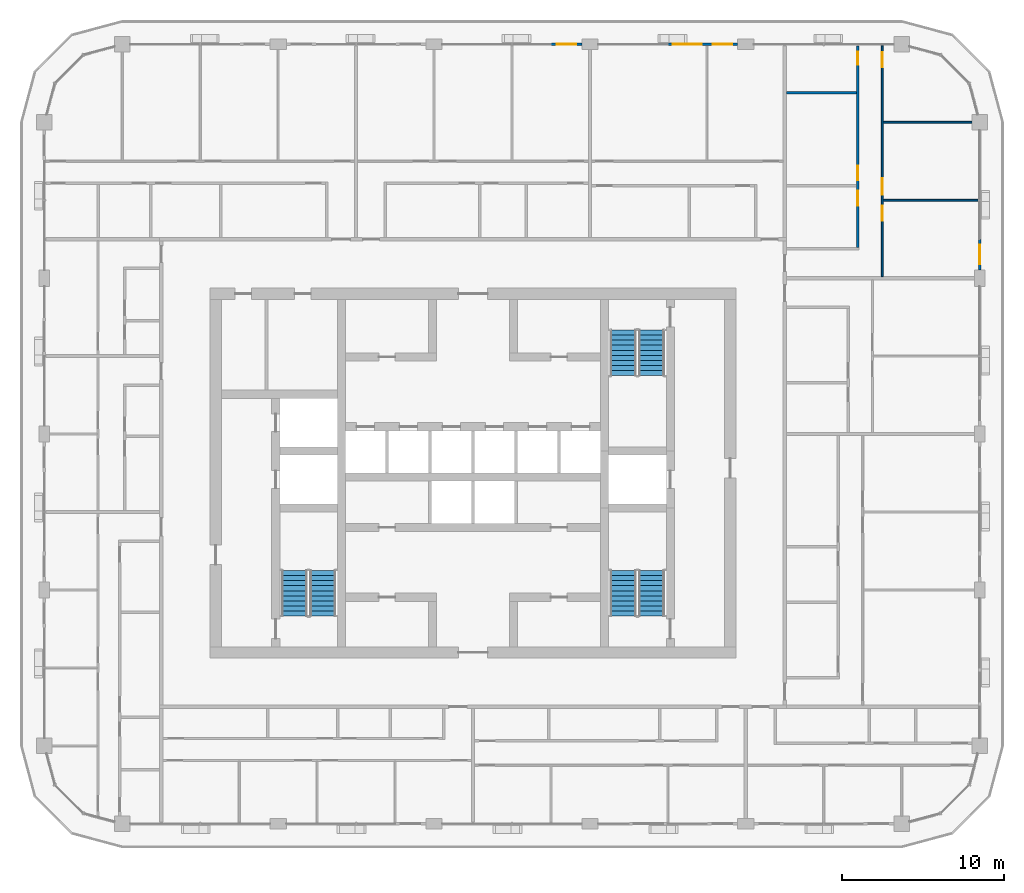
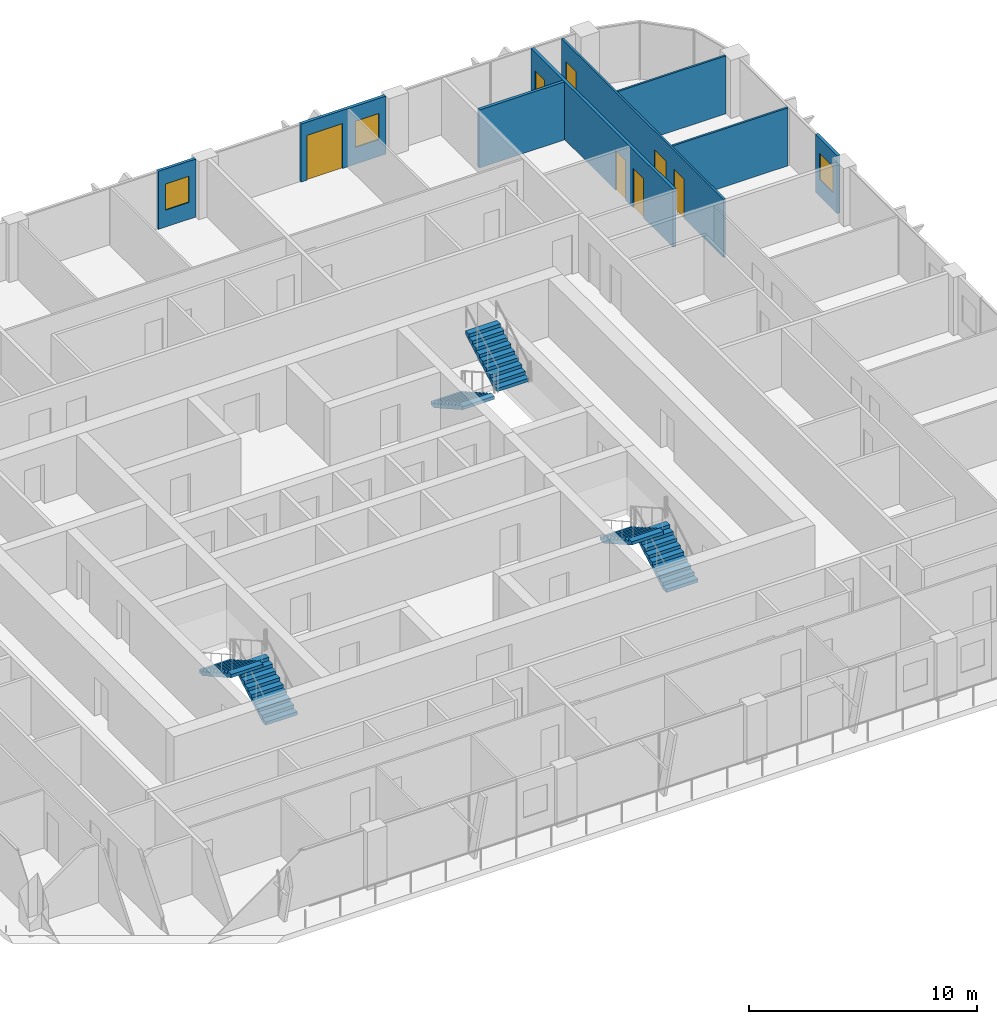
# One storey, part 15 of 22: 8 walls, 7 doors, 6 stair flights, 3 windows, 10 openings, 3 elements without a shape of their own.
"""IFC4 building model written with IfcOpenShell, lengths in metres."""

import ifcopenshell
import ifcopenshell.guid

model = None  # the IFC model being written
_history = None  # IfcOwnerHistory: only IFC2X3 demands one
_inside = {}  # id of a spatial element -> (the spatial element, [elements in it])
_under = {}  # id of a project, library or spatial element -> (it, [spatial elements below it])
_declared = {}  # id of a project -> (the project, [libraries it declares])
_typed = {}  # id of a type object -> (the type object, [elements of that type])
_made_of = {}  # id of a material, layer set ... -> (it, [elements and type objects made of it])


def new_model(schema):
    """Start an empty IFC model of exactly this schema.

    Asked for "IFC4X3", IfcOpenShell would pick the latest addendum, in which some entities
    have other attributes; the version numbers below select the first issue.
    IFC2X3 requires an IfcOwnerHistory on every rooted entity: one is made here for all.
    """
    global model, _history
    if schema == "IFC4X3":
        model = ifcopenshell.file(schema_version=(4, 3, 0, 0))
    else:
        model = ifcopenshell.file(schema=schema)
    _inside.clear()
    _under.clear()
    _declared.clear()
    _typed.clear()
    _made_of.clear()
    _history = None
    if model.schema == "IFC2X3":
        org = make("IfcOrganization", Name="unknown")
        user = make(
            "IfcPersonAndOrganization",
            ThePerson=make("IfcPerson", FamilyName="unknown"),
            TheOrganization=org,
        )
        app = make(
            "IfcApplication",
            ApplicationDeveloper=org,
            Version="unknown",
            ApplicationFullName="unknown",
            ApplicationIdentifier="unknown",
        )
        _history = make(
            "IfcOwnerHistory",
            OwningUser=user,
            OwningApplication=app,
            ChangeAction="ADDED",
            CreationDate=0,
        )
    return model


def make(cls, **values):
    """One entity of the class cls with the attributes given. An attribute that is None is left unset."""
    return model.create_entity(
        cls, **{name: value for name, value in values.items() if value is not None}
    )


def rooted(cls, **values):
    """An entity with a GlobalId (a new one), such as an element, a storey or a relation."""
    return make(cls, GlobalId=ifcopenshell.guid.new(), OwnerHistory=_history, **values)


def si_unit(unit_type, name, prefix=None):
    """IfcSIUnit, for example si_unit("LENGTHUNIT", "METRE", prefix="MILLI")."""
    return make("IfcSIUnit", UnitType=unit_type, Prefix=prefix, Name=name)


def assignment(units):
    """IfcUnitAssignment: the units of a project."""
    return None if units is None else make("IfcUnitAssignment", Units=units)


def point(xyz):
    """IfcCartesianPoint."""
    return None if xyz is None else make("IfcCartesianPoint", Coordinates=xyz)


def direction(xyz):
    """IfcDirection."""
    return None if xyz is None else make("IfcDirection", DirectionRatios=xyz)


def frame(location, z_axis=None, x_axis=None):
    """IfcAxis2Placement3D, a coordinate frame: its origin and axes. An axis left out is left unset."""
    return make(
        "IfcAxis2Placement3D",
        Location=point(location),
        Axis=direction(z_axis),
        RefDirection=direction(x_axis),
    )


def frame_2d(location, x_axis=None):
    """IfcAxis2Placement2D, a coordinate frame in the plane: its origin and x axis."""
    return make(
        "IfcAxis2Placement2D", Location=point(location), RefDirection=direction(x_axis)
    )


def origin():
    """The frame at (0, 0, 0) with its axes left unset."""
    return frame((0.0, 0.0, 0.0))


def place(relative_to, where):
    """IfcLocalPlacement: puts the frame where relative to a parent placement (None: the world)."""
    return make(
        "IfcLocalPlacement", PlacementRelTo=relative_to, RelativePlacement=where
    )


def context(
    kind, dimensions, precision=None, world=None, true_north=None, identifier=None
):
    """IfcGeometricRepresentationContext, for example the 3D "Model" context."""
    return make(
        "IfcGeometricRepresentationContext",
        ContextIdentifier=identifier,
        ContextType=kind,
        CoordinateSpaceDimension=dimensions,
        Precision=precision,
        WorldCoordinateSystem=world,
        TrueNorth=true_north,
    )


def subcontext(parent, identifier, kind, view, scale=None):
    """IfcGeometricRepresentationSubContext, for example "Body" below "Model"."""
    return make(
        "IfcGeometricRepresentationSubContext",
        ContextIdentifier=identifier,
        ContextType=kind,
        ParentContext=parent,
        TargetScale=scale,
        TargetView=view,
    )


def project(units=None, contexts=None):
    """IfcProject with its units and contexts."""
    return rooted(
        "IfcProject",
        Name="project",
        RepresentationContexts=contexts,
        UnitsInContext=assignment(units),
    )


def spatial(cls, under=None, at=None, **own):
    """A site, building, storey or space (cls), placed at a placement, below another one or the project."""
    s = rooted(cls, ObjectPlacement=at, **own)
    if under is not None:
        _under.setdefault(under.id(), (under, []))[1].append(s)
    return s


def polyline(points):
    """IfcPolyline through the points."""
    return make("IfcPolyline", Points=[point(p) for p in points])


def profile(cls, at=None, kind="AREA", **sizes):
    """A parametric profile (cls). Its sizes go by their IFC names, for example OverallWidth=200.0."""
    return make(cls, ProfileType=kind, Position=at, **sizes)


def rectangle(**sizes):
    """IfcRectangleProfileDef."""
    return profile("IfcRectangleProfileDef", **sizes)


def outline(outer, holes=None, kind="AREA"):
    """IfcArbitraryClosedProfileDef: a profile drawn as a closed curve; with holes, ...WithVoids."""
    if holes is None:
        return make("IfcArbitraryClosedProfileDef", ProfileType=kind, OuterCurve=outer)
    return make(
        "IfcArbitraryProfileDefWithVoids",
        ProfileType=kind,
        OuterCurve=outer,
        InnerCurves=holes,
    )


def extrude(swept, where, along, depth):
    """IfcExtrudedAreaSolid: the profile swept, set in the frame where, extruded along a direction by depth."""
    return make(
        "IfcExtrudedAreaSolid",
        SweptArea=swept,
        Position=where,
        ExtrudedDirection=direction(along),
        Depth=depth,
    )


def shape(context_of_items, identifier, shape_type, items):
    """IfcShapeRepresentation: the items that make up one representation, for example the "Body"."""
    return make(
        "IfcShapeRepresentation",
        ContextOfItems=context_of_items,
        RepresentationIdentifier=identifier,
        RepresentationType=shape_type,
        Items=items,
    )


def material(Name=None, Category=None):
    """IfcMaterial."""
    return make("IfcMaterial", Name=Name, Category=Category)


def layer(
    of_material, thickness, ventilated=None, Name=None, Category=None, Priority=None
):
    """IfcMaterialLayer: one layer of a wall or slab, of a material (None: an air gap)."""
    return make(
        "IfcMaterialLayer",
        Material=of_material,
        LayerThickness=thickness,
        IsVentilated=ventilated,
        Name=Name,
        Category=Category,
        Priority=Priority,
    )


def layer_set(layers, Name=None):
    """IfcMaterialLayerSet."""
    return make("IfcMaterialLayerSet", MaterialLayers=layers, LayerSetName=Name)


def made_of(thing, what):
    """Note that an element or type object is made of a material, layer set ...; save() writes the relation."""
    if what is not None:
        _made_of.setdefault(what.id(), (what, []))[1].append(thing)
    return thing


def type_object(cls, material=None, **own):
    """A type object (cls), such as IfcWallType, which elements share."""
    return made_of(rooted(cls, **own), material)


def element(
    cls,
    number,
    at=None,
    inside=None,
    cuts=None,
    type_object=None,
    material=None,
    context=None,
    identifier="Body",
    shape_type=None,
    held_by="IfcProductDefinitionShape",
    body=None,
    shapes=None,
    **own,
):
    """One element of the class cls, such as IfcWall. Its Tag is "e" and its number.

    at: its placement. inside: the storey or other place that contains it. cuts: it is an
    opening in that element (IfcRelVoidsElement). A single representation is given by context,
    identifier, shape_type and body (its items); several are given by shapes. held_by: the class
    of the entity that holds the representations. save() writes the other relations.
    """
    e = rooted(cls, Tag="e%d" % number, ObjectPlacement=at, **own)
    if body is not None:
        shapes = [shape(context, identifier, shape_type, body)]
    if shapes is not None:
        e.Representation = make(held_by, Representations=shapes)
    if inside is not None:
        _inside.setdefault(inside.id(), (inside, []))[1].append(e)
    if cuts is not None:
        rooted(
            "IfcRelVoidsElement", RelatingBuildingElement=cuts, RelatedOpeningElement=e
        )
    if type_object is not None:
        _typed.setdefault(type_object.id(), (type_object, []))[1].append(e)
    return made_of(e, material)


def fill(opening, filler):
    """IfcRelFillsElement: the door or window that sits in an opening."""
    return rooted(
        "IfcRelFillsElement",
        RelatingOpeningElement=opening,
        RelatedBuildingElement=filler,
    )


def aggregate(whole, parts):
    """IfcRelAggregates: a whole, such as a stair, and the parts it consists of."""
    return rooted("IfcRelAggregates", RelatingObject=whole, RelatedObjects=parts)


def save(model, path):
    """Write the relations noted so far, then the file.

    IfcRelAggregates (storeys below a building ...), IfcRelContainedInSpatialStructure (elements
    in a storey), IfcRelDefinesByType, IfcRelAssociatesMaterial and IfcRelDeclares: one each for
    every whole, place, type object, material and project.
    """
    for whole, parts in _under.values():
        aggregate(whole, parts)
    for where, things in _inside.values():
        rooted(
            "IfcRelContainedInSpatialStructure",
            RelatedElements=things,
            RelatingStructure=where,
        )
    for kind, things in _typed.values():
        rooted("IfcRelDefinesByType", RelatedObjects=things, RelatingType=kind)
    for what, things in _made_of.values():
        rooted("IfcRelAssociatesMaterial", RelatedObjects=things, RelatingMaterial=what)
    for by, libraries in _declared.values():
        rooted("IfcRelDeclares", RelatingContext=by, RelatedDefinitions=libraries)
    model.write(path)


model = new_model("IFC4")

# Units and contexts
model_context = context("Model", 3, precision=1e-05, world=origin(), true_north=direction((0.0, 1.0)))
body_context = subcontext(model_context, "Body", "Model", "MODEL_VIEW")
ifc_project = project(units=[si_unit("LENGTHUNIT", "METRE"), si_unit("AREAUNIT", "SQUARE_METRE"), si_unit("VOLUMEUNIT", "CUBIC_METRE"), si_unit("PLANEANGLEUNIT", "RADIAN"), si_unit("MASSUNIT", "GRAM", prefix="KILO")], contexts=[model_context])

# Site, building, storey
site_placement = place(None, origin())
site = spatial("IfcSite", under=ifc_project, at=site_placement, CompositionType="ELEMENT")
building_placement = place(site_placement, origin())
building = spatial("IfcBuilding", under=site, at=building_placement, Name="Madar Terraces", CompositionType="ELEMENT")
storey_placement = place(building_placement, frame((0.0, 0.0, 229.800048828125)))
storey = spatial("IfcBuildingStorey", under=building, at=storey_placement, Name="L60", CompositionType="ELEMENT", Elevation=229.800048828125)

# Wall, opening, window
ifc_material_1 = material(Name="Aluminium composite panel, black, over insulated backing", Category="aluminium")
ifc_layer_1 = layer(ifc_material_1, 0.14990234375)
ifc_layer_set_1 = layer_set([ifc_layer_1], Name="Facade bay panel 150")
wall_type_1 = type_object("IfcWallType", Name="Facade bay panel 150", PredefinedType="SOLIDWALL", material=ifc_layer_set_1)
wall_1_placement = place(storey_placement, frame((62.39990234375, 38.89990234375, 0.0), z_axis=(0.0, 0.0, 1.0), x_axis=(0.0, 1.0, 0.0)))
wall_1 = element("IfcWall", 1, at=wall_1_placement, inside=storey, type_object=wall_type_1, Name="Facade bay panel", PredefinedType="SOLIDWALL", context=body_context, shape_type="SweptSolid", body=[
    extrude(rectangle(XDim=1.900146484375, YDim=0.14990234375, at=frame_2d((0.9501953125, 0.0))), origin(), (0.0, 0.0, 1.0), 3.099853515625),
])
opening_1_placement = place(wall_1_placement, frame((0.35009765625, 0.0, 0.89990234375)))
opening_1 = element("IfcOpeningElement", 2, at=opening_1_placement, cuts=wall_1, Name="Opening W1", PredefinedType="OPENING", context=body_context, shape_type="SweptSolid", body=[
    extrude(rectangle(XDim=1.199951171875, YDim=1.39990234375, at=frame_2d((0.60009765625, 0.699951171875))), frame((0.0, 0.0849609375, 0.0), z_axis=(0.0, -1.0, 0.0), x_axis=(1.0, 0.0, 0.0)), (0.0, 0.0, 1.0), 0.169921875),
])
ifc_material_2 = material(Name="Glass, clear, with black aluminium frame", Category="aluminium")
window_type = type_object("IfcWindowType", Name="Vent window 1200 x 1400", PartitioningType="SINGLE_PANEL", PredefinedType="WINDOW", material=ifc_material_2)
window_1_placement = place(opening_1_placement, origin())
window_1 = element("IfcWindow", 3, at=window_1_placement, inside=storey, type_object=window_type, Name="Operable vent window", OverallHeight=1.39990234375, OverallWidth=1.199951171875, PartitioningType="SINGLE_PANEL", PredefinedType="WINDOW", context=body_context, shape_type="SweptSolid", body=[
    extrude(rectangle(XDim=1.199951171875, YDim=1.39990234375, at=frame_2d((0.60009765625, 0.699951171875))), frame((0.0, 0.030029296875, 0.0), z_axis=(0.0, -1.0, 0.0), x_axis=(1.0, 0.0, 0.0)), (0.0, 0.0, 1.0), 0.06005859375),
])
fill(opening_1, window_1)

# Wall, openings, door, window
wall_2_placement = place(storey_placement, frame((47.5, 52.800048828125, 0.0), z_axis=(0.0, 0.0, 1.0), x_axis=(-1.0, 0.0, 0.0)))
wall_2 = element("IfcWall", 4, at=wall_2_placement, inside=storey, type_object=wall_type_1, Name="Facade bay panel", PredefinedType="SOLIDWALL", context=body_context, shape_type="SweptSolid", body=[
    extrude(rectangle(XDim=4.300048828125, YDim=0.14990234375, at=frame_2d((2.14990234375, 0.0))), origin(), (0.0, 0.0, 1.0), 3.099853515625),
])
opening_2_placement = place(wall_2_placement, frame((0.35009765625, 0.0, 0.89990234375)))
opening_2 = element("IfcOpeningElement", 5, at=opening_2_placement, cuts=wall_2, Name="Opening W1", PredefinedType="OPENING", context=body_context, shape_type="SweptSolid", body=[
    extrude(rectangle(XDim=1.199951171875, YDim=1.39990234375, at=frame_2d((0.60009765625, 0.699951171875))), frame((0.0, 0.0849609375, 0.0), z_axis=(0.0, -1.0, 0.0), x_axis=(1.0, 0.0, 0.0)), (0.0, 0.0, 1.0), 0.169921875),
])
opening_3_placement = place(wall_2_placement, frame((2.199951171875, 0.0, 0.0)))
opening_3 = element("IfcOpeningElement", 6, at=opening_3_placement, cuts=wall_2, Name="Opening ED1", PredefinedType="OPENING", context=body_context, shape_type="SweptSolid", body=[
    extrude(rectangle(XDim=1.800048828125, YDim=2.39990234375, at=frame_2d((0.89990234375, 1.199951171875))), frame((0.0, 0.0849609375, 0.0), z_axis=(0.0, -1.0, 0.0), x_axis=(1.0, 0.0, 0.0)), (0.0, 0.0, 1.0), 0.169921875),
])
ifc_material_3 = material(Name="Glass, clear, with black aluminium frame", Category="aluminium")
door_type_1 = type_object("IfcDoorType", Name="Balcony and terrace sliding door 1800 x 2400", OperationType="SLIDING_TO_LEFT", PredefinedType="DOOR", material=ifc_material_3)
door_1_placement = place(opening_3_placement, origin())
door_1 = element("IfcDoor", 7, at=door_1_placement, inside=storey, type_object=door_type_1, Name="Balcony door", OperationType="SLIDING_TO_LEFT", OverallHeight=2.39990234375, OverallWidth=1.800048828125, PredefinedType="DOOR", context=body_context, shape_type="SweptSolid", body=[
    extrude(rectangle(XDim=1.800048828125, YDim=2.39990234375, at=frame_2d((0.89990234375, 1.199951171875))), frame((0.0, 0.02490234375, 0.0), z_axis=(0.0, -1.0, 0.0), x_axis=(1.0, 0.0, 0.0)), (0.0, 0.0, 1.0), 0.050048828125),
])
fill(opening_3, door_1)
window_2_placement = place(opening_2_placement, origin())
window_2 = element("IfcWindow", 8, at=window_2_placement, inside=storey, type_object=window_type, Name="Operable vent window", OverallHeight=1.39990234375, OverallWidth=1.199951171875, PartitioningType="SINGLE_PANEL", PredefinedType="WINDOW", context=body_context, shape_type="SweptSolid", body=[
    extrude(rectangle(XDim=1.199951171875, YDim=1.39990234375, at=frame_2d((0.60009765625, 0.699951171875))), frame((0.0, 0.030029296875, 0.0), z_axis=(0.0, -1.0, 0.0), x_axis=(1.0, 0.0, 0.0)), (0.0, 0.0, 1.0), 0.06005859375),
])
fill(opening_2, window_2)

# Wall, opening, window
wall_3_placement = place(storey_placement, frame((37.89990234375, 52.800048828125, 0.0), z_axis=(0.0, 0.0, 1.0), x_axis=(-1.0, 0.0, 0.0)))
wall_3 = element("IfcWall", 9, at=wall_3_placement, inside=storey, type_object=wall_type_1, Name="Facade bay panel", PredefinedType="SOLIDWALL", context=body_context, shape_type="SweptSolid", body=[
    extrude(rectangle(XDim=1.89990234375, YDim=0.14990234375, at=frame_2d((0.949951171875, 0.0))), origin(), (0.0, 0.0, 1.0), 3.099853515625),
])
opening_4_placement = place(wall_3_placement, frame((0.35009765625, 0.0, 0.89990234375)))
opening_4 = element("IfcOpeningElement", 10, at=opening_4_placement, cuts=wall_3, Name="Opening W1", PredefinedType="OPENING", context=body_context, shape_type="SweptSolid", body=[
    extrude(rectangle(XDim=1.199951171875, YDim=1.39990234375, at=frame_2d((0.60009765625, 0.699951171875))), frame((0.0, 0.0849609375, 0.0), z_axis=(0.0, -1.0, 0.0), x_axis=(1.0, 0.0, 0.0)), (0.0, 0.0, 1.0), 0.169921875),
])
window_3_placement = place(opening_4_placement, origin())
window_3 = element("IfcWindow", 11, at=window_3_placement, inside=storey, type_object=window_type, Name="Operable vent window", OverallHeight=1.39990234375, OverallWidth=1.199951171875, PartitioningType="SINGLE_PANEL", PredefinedType="WINDOW", context=body_context, shape_type="SweptSolid", body=[
    extrude(rectangle(XDim=1.199951171875, YDim=1.39990234375, at=frame_2d((0.60009765625, 0.699951171875))), frame((0.0, 0.030029296875, 0.0), z_axis=(0.0, -1.0, 0.0), x_axis=(1.0, 0.0, 0.0)), (0.0, 0.0, 1.0), 0.06005859375),
])
fill(opening_4, window_3)

# Walls
ifc_material_4 = material(Name="Gypsum board on steel studs", Category="steel")
ifc_layer_2 = layer(ifc_material_4, 0.10009765625)
ifc_layer_set_2 = layer_set([ifc_layer_2], Name="Flat partition 100")
wall_type_2 = type_object("IfcWallType", Name="Flat partition 100", PredefinedType="PARTITIONING", material=ifc_layer_set_2)
wall_4_placement = place(storey_placement, frame((56.449951171875, 43.199951171875, 0.0), z_axis=(0.0, 0.0, 1.0), x_axis=(1.0, 0.0, 0.0)))
element("IfcWall", 12, at=wall_4_placement, inside=storey, type_object=wall_type_2, Name="Flat partition 100", PredefinedType="PARTITIONING", context=body_context, shape_type="SweptSolid", body=[
    extrude(rectangle(XDim=5.85009765625, YDim=0.10009765625, at=frame_2d((2.925048828125, 0.0))), origin(), (0.0, 0.0, 1.0), 3.099853515625),
])
wall_5_placement = place(storey_placement, frame((56.449951171875, 48.0, 0.0), z_axis=(0.0, 0.0, 1.0), x_axis=(1.0, 0.0, 0.0)))
element("IfcWall", 13, at=wall_5_placement, inside=storey, type_object=wall_type_2, Name="Flat partition 100", PredefinedType="PARTITIONING", context=body_context, shape_type="SweptSolid", body=[
    extrude(rectangle(XDim=5.47509765625, YDim=0.10009765625, at=frame_2d((2.737548828125, 0.0))), origin(), (0.0, 0.0, 1.0), 3.099853515625),
])

# Wall, openings, doors
wall_6_placement = place(storey_placement, frame((56.39990234375, 52.699951171875, 0.0), z_axis=(0.0, 0.0, 1.0), x_axis=(0.0, -1.0, 0.0)))
wall_6 = element("IfcWall", 14, at=wall_6_placement, inside=storey, type_object=wall_type_2, Name="Flat partition 100", PredefinedType="PARTITIONING", context=body_context, shape_type="SweptSolid", body=[
    extrude(rectangle(XDim=14.199951171875, YDim=0.10009765625, at=frame_2d((7.10009765625, 0.0))), origin(), (0.0, 0.0, 1.0), 3.099853515625),
])
opening_5_placement = place(wall_6_placement, frame((9.85009765625, 0.0, 0.0)))
opening_5 = element("IfcOpeningElement", 15, at=opening_5_placement, cuts=wall_6, Name="Opening D2", PredefinedType="OPENING", context=body_context, shape_type="SweptSolid", body=[
    extrude(rectangle(XDim=0.89990234375, YDim=2.10009765625, at=frame_2d((0.449951171875, 1.050048828125))), frame((0.0, 0.06005859375, 0.0), z_axis=(0.0, -1.0, 0.0), x_axis=(1.0, 0.0, 0.0)), (0.0, 0.0, 1.0), 0.1201171875),
])
opening_6_placement = place(wall_6_placement, frame((8.14990234375, 0.0, 0.0)))
opening_6 = element("IfcOpeningElement", 16, at=opening_6_placement, cuts=wall_6, Name="Opening D3", PredefinedType="OPENING", context=body_context, shape_type="SweptSolid", body=[
    extrude(rectangle(XDim=1.0, YDim=2.10009765625, at=frame_2d((0.5, 1.050048828125))), frame((0.0, 0.06005859375, 0.0), z_axis=(0.0, -1.0, 0.0), x_axis=(1.0, 0.0, 0.0)), (0.0, 0.0, 1.0), 0.1201171875),
])
opening_7_placement = place(wall_6_placement, frame((0.39990234375, 0.0, 0.0)))
opening_7 = element("IfcOpeningElement", 17, at=opening_7_placement, cuts=wall_6, Name="Opening D2", PredefinedType="OPENING", context=body_context, shape_type="SweptSolid", body=[
    extrude(rectangle(XDim=0.89990234375, YDim=2.10009765625, at=frame_2d((0.449951171875, 1.050048828125))), frame((0.0, 0.06005859375, 0.0), z_axis=(0.0, -1.0, 0.0), x_axis=(1.0, 0.0, 0.0)), (0.0, 0.0, 1.0), 0.1201171875),
])
ifc_material_5 = material(Name="Timber door leaf", Category="wood")
door_type_2 = type_object("IfcDoorType", Name="Flat living room door 1000", OperationType="NOTDEFINED", PredefinedType="DOOR", material=ifc_material_5)
door_2_placement = place(opening_6_placement, origin())
door_2 = element("IfcDoor", 18, at=door_2_placement, inside=storey, type_object=door_type_2, Name="Flat living room door 1000", OperationType="SINGLE_SWING_RIGHT", OverallHeight=2.10009765625, OverallWidth=1.0, PredefinedType="DOOR", context=body_context, shape_type="SweptSolid", body=[
    extrude(rectangle(XDim=1.0, YDim=2.10009765625, at=frame_2d((0.5, 1.050048828125))), frame((0.0, 0.02490234375, 0.0), z_axis=(0.0, -1.0, 0.0), x_axis=(1.0, 0.0, 0.0)), (0.0, 0.0, 1.0), 0.050048828125),
])
fill(opening_6, door_2)
ifc_material_6 = material(Name="Timber door leaf", Category="wood")
door_type_3 = type_object("IfcDoorType", Name="Flat room door 900", OperationType="NOTDEFINED", PredefinedType="DOOR", material=ifc_material_6)
door_3_placement = place(opening_5_placement, origin())
door_3 = element("IfcDoor", 19, at=door_3_placement, inside=storey, type_object=door_type_3, Name="Flat room door 900", OperationType="SINGLE_SWING_LEFT", OverallHeight=2.10009765625, OverallWidth=0.89990234375, PredefinedType="DOOR", context=body_context, shape_type="SweptSolid", body=[
    extrude(rectangle(XDim=0.89990234375, YDim=2.10009765625, at=frame_2d((0.449951171875, 1.050048828125))), frame((0.0, 0.02490234375, 0.0), z_axis=(0.0, -1.0, 0.0), x_axis=(1.0, 0.0, 0.0)), (0.0, 0.0, 1.0), 0.050048828125),
])
fill(opening_5, door_3)
door_4_placement = place(opening_7_placement, origin())
door_4 = element("IfcDoor", 20, at=door_4_placement, inside=storey, type_object=door_type_3, Name="Flat room door 900", OperationType="SINGLE_SWING_LEFT", OverallHeight=2.10009765625, OverallWidth=0.89990234375, PredefinedType="DOOR", context=body_context, shape_type="SweptSolid", body=[
    extrude(rectangle(XDim=0.89990234375, YDim=2.10009765625, at=frame_2d((0.449951171875, 1.050048828125))), frame((0.0, 0.02490234375, 0.0), z_axis=(0.0, -1.0, 0.0), x_axis=(1.0, 0.0, 0.0)), (0.0, 0.0, 1.0), 0.050048828125),
])
fill(opening_7, door_4)

# Wall
ifc_material_7 = material(Name="Lightweight blockwork", Category="masonry")
ifc_layer_3 = layer(ifc_material_7, 0.14990234375)
ifc_layer_set_3 = layer_set([ifc_layer_3], Name="Flat wet-room partition 150")
wall_type_3 = type_object("IfcWallType", Name="Flat wet-room partition 150", PredefinedType="PARTITIONING", material=ifc_layer_set_3)
wall_7_placement = place(storey_placement, frame((50.5, 49.832763671875, 0.0), z_axis=(0.0, 0.0, 1.0), x_axis=(1.0, 0.0, 0.0)))
element("IfcWall", 21, at=wall_7_placement, inside=storey, type_object=wall_type_3, Name="Flat wet-room partition 150", PredefinedType="PARTITIONING", context=body_context, shape_type="SweptSolid", body=[
    extrude(rectangle(XDim=4.324951171875, YDim=0.14990234375, at=frame_2d((2.16259765625, 0.0))), origin(), (0.0, 0.0, 1.0), 3.099853515625),
])

# Wall, openings, doors
wall_8_placement = place(storey_placement, frame((54.89990234375, 40.27490234375, 0.0), z_axis=(0.0, 0.0, 1.0), x_axis=(0.0, 1.0, 0.0)))
wall_8 = element("IfcWall", 22, at=wall_8_placement, inside=storey, type_object=wall_type_3, Name="Flat wet-room partition 150", PredefinedType="PARTITIONING", context=body_context, shape_type="SweptSolid", body=[
    extrude(rectangle(XDim=12.425048828125, YDim=0.14990234375, at=frame_2d((6.21240234375, 0.0))), origin(), (0.0, 0.0, 1.0), 3.099853515625),
])
opening_8_placement = place(wall_8_placement, frame((2.59814453125, 0.0, 0.0)))
opening_8 = element("IfcOpeningElement", 23, at=opening_8_placement, cuts=wall_8, Name="Opening D5", PredefinedType="OPENING", context=body_context, shape_type="SweptSolid", body=[
    extrude(rectangle(XDim=0.89990234375, YDim=2.10009765625, at=frame_2d((0.449951171875, 1.050048828125))), frame((0.0, 0.0849609375, 0.0), z_axis=(0.0, -1.0, 0.0), x_axis=(1.0, 0.0, 0.0)), (0.0, 0.0, 1.0), 0.169921875),
])
opening_9_placement = place(wall_8_placement, frame((4.148193359375, 0.0, 0.0)))
opening_9 = element("IfcOpeningElement", 24, at=opening_9_placement, cuts=wall_8, Name="Opening D2", PredefinedType="OPENING", context=body_context, shape_type="SweptSolid", body=[
    extrude(rectangle(XDim=0.89990234375, YDim=2.10009765625, at=frame_2d((0.449951171875, 1.050048828125))), frame((0.0, 0.0849609375, 0.0), z_axis=(0.0, -1.0, 0.0), x_axis=(1.0, 0.0, 0.0)), (0.0, 0.0, 1.0), 0.169921875),
])
opening_10_placement = place(wall_8_placement, frame((11.27490234375, 0.0, 0.0)))
opening_10 = element("IfcOpeningElement", 25, at=opening_10_placement, cuts=wall_8, Name="Opening D4", PredefinedType="OPENING", context=body_context, shape_type="SweptSolid", body=[
    extrude(rectangle(XDim=0.800048828125, YDim=2.10009765625, at=frame_2d((0.39990234375, 1.050048828125))), frame((0.0, 0.0849609375, 0.0), z_axis=(0.0, -1.0, 0.0), x_axis=(1.0, 0.0, 0.0)), (0.0, 0.0, 1.0), 0.169921875),
])
ifc_material_8 = material(Name="Timber door leaf", Category="wood")
door_type_4 = type_object("IfcDoorType", Name="Flat accessible bathroom door 900", OperationType="NOTDEFINED", PredefinedType="DOOR", material=ifc_material_8)
door_5_placement = place(opening_8_placement, origin())
door_5 = element("IfcDoor", 26, at=door_5_placement, inside=storey, type_object=door_type_4, Name="Flat accessible bathroom door 900", OperationType="SINGLE_SWING_RIGHT", OverallHeight=2.10009765625, OverallWidth=0.89990234375, PredefinedType="DOOR", context=body_context, shape_type="SweptSolid", body=[
    extrude(rectangle(XDim=0.89990234375, YDim=2.10009765625, at=frame_2d((0.449951171875, 1.050048828125))), frame((0.0, 0.02490234375, 0.0), z_axis=(0.0, -1.0, 0.0), x_axis=(1.0, 0.0, 0.0)), (0.0, 0.0, 1.0), 0.050048828125),
])
fill(opening_8, door_5)
ifc_material_9 = material(Name="Timber door leaf", Category="wood")
door_type_5 = type_object("IfcDoorType", Name="Flat bathroom door 800", OperationType="NOTDEFINED", PredefinedType="DOOR", material=ifc_material_9)
door_6_placement = place(opening_10_placement, origin())
door_6 = element("IfcDoor", 27, at=door_6_placement, inside=storey, type_object=door_type_5, Name="Flat bathroom door 800", OperationType="SINGLE_SWING_RIGHT", OverallHeight=2.10009765625, OverallWidth=0.800048828125, PredefinedType="DOOR", context=body_context, shape_type="SweptSolid", body=[
    extrude(rectangle(XDim=0.800048828125, YDim=2.10009765625, at=frame_2d((0.39990234375, 1.050048828125))), frame((0.0, 0.02490234375, 0.0), z_axis=(0.0, -1.0, 0.0), x_axis=(1.0, 0.0, 0.0)), (0.0, 0.0, 1.0), 0.050048828125),
])
fill(opening_10, door_6)
door_7_placement = place(opening_9_placement, origin())
door_7 = element("IfcDoor", 28, at=door_7_placement, inside=storey, type_object=door_type_3, Name="Flat room door 900", OperationType="SINGLE_SWING_LEFT", OverallHeight=2.10009765625, OverallWidth=0.89990234375, PredefinedType="DOOR", context=body_context, shape_type="SweptSolid", body=[
    extrude(rectangle(XDim=0.89990234375, YDim=2.10009765625, at=frame_2d((0.449951171875, 1.050048828125))), frame((0.0, 0.02490234375, 0.0), z_axis=(0.0, -1.0, 0.0), x_axis=(1.0, 0.0, 0.0)), (0.0, 0.0, 1.0), 0.050048828125),
])
fill(opening_9, door_7)

# Stair, stair flights
ifc_material_10 = material(Name="Concrete C50/60", Category="concrete")
stair_type_1 = type_object("IfcStairType", Name="Stair ST1 protected exit", PredefinedType="HALF_TURN_STAIR", material=ifc_material_10)
stair_1_placement = place(storey_placement, origin())
stair_1 = element("IfcStair", 29, at=stair_1_placement, inside=storey, type_object=stair_type_1, Name="L60 Protected Exit Stair ST1", PredefinedType="HALF_TURN_STAIR")
ifc_material_11 = material(Name="Concrete C50/60", Category="concrete")
stair_flight_type_1 = type_object("IfcStairFlightType", Name="Stair flight ST1-F4, 1600 wide, 10 risers", PredefinedType="STRAIGHT", material=ifc_material_11)
stair_flight_1_placement = place(storey_placement, frame((21.949951171875, 17.60009765625, 0.0), z_axis=(0.0, 0.0, 1.0), x_axis=(0.0, 1.0, 0.0)))
stair_flight_1 = element("IfcStairFlight", 30, at=stair_flight_1_placement, type_object=stair_flight_type_1, Name="ST1 flight 1", NumberOfRisers=10, NumberOfTreads=9, PredefinedType="STRAIGHT", RiserHeight=0.175, TreadLength=0.31, context=body_context, shape_type="SweptSolid", body=[
    extrude(outline(polyline([(0.0, 0.0), (0.0, 0.175048828125), (0.31005859375, 0.175048828125), (0.31005859375, 0.35009765625), (0.6201171875, 0.35009765625), (0.6201171875, 0.52490234375), (0.929931640625, 0.52490234375), (0.929931640625, 0.699951171875), (1.239990234375, 0.699951171875), (1.239990234375, 0.875), (1.550048828125, 0.875), (1.550048828125, 1.050048828125), (1.860107421875, 1.050048828125), (1.860107421875, 1.22509765625), (2.169921875, 1.22509765625), (2.169921875, 1.39990234375), (2.47998046875, 1.39990234375), (2.47998046875, 1.574951171875), (2.7900390625, 1.574951171875), (2.7900390625, 1.75), (2.7900390625, 1.40283203125), (0.304931640625, 0.0), (0.0, 0.0)])), frame((0.0, 0.800048828125, 0.0), z_axis=(0.0, -1.0, 0.0), x_axis=(1.0, 0.0, 0.0)), (0.0, 0.0, 1.0), 1.60009765625),
])
stair_flight_2_placement = place(storey_placement, frame((20.199951171875, 20.389892578125, 1.75), z_axis=(0.0, 0.0, 1.0), x_axis=(0.0, -1.0, 0.0)))
stair_flight_2 = element("IfcStairFlight", 31, at=stair_flight_2_placement, type_object=stair_flight_type_1, Name="ST1 flight 2", NumberOfRisers=10, NumberOfTreads=9, PredefinedType="STRAIGHT", RiserHeight=0.175, TreadLength=0.31, context=body_context, shape_type="SweptSolid", body=[
    extrude(outline(polyline([(0.0, 0.0), (0.0, 0.175048828125), (0.31005859375, 0.175048828125), (0.31005859375, 0.35009765625), (0.6201171875, 0.35009765625), (0.6201171875, 0.52490234375), (0.929931640625, 0.52490234375), (0.929931640625, 0.699951171875), (1.239990234375, 0.699951171875), (1.239990234375, 0.875), (1.550048828125, 0.875), (1.550048828125, 1.050048828125), (1.860107421875, 1.050048828125), (1.860107421875, 1.22509765625), (2.169921875, 1.22509765625), (2.169921875, 1.39990234375), (2.47998046875, 1.39990234375), (2.47998046875, 1.574951171875), (2.7900390625, 1.574951171875), (2.7900390625, 1.75), (2.7900390625, 1.40283203125), (0.304931640625, 0.0), (0.0, 0.0)])), frame((0.0, 0.800048828125, 0.0), z_axis=(0.0, -1.0, 0.0), x_axis=(1.0, 0.0, 0.0)), (0.0, 0.0, 1.0), 1.60009765625),
])
aggregate(stair_1, [stair_flight_1, stair_flight_2])

ifc_material_12 = material(Name="Concrete C50/60", Category="concrete")
stair_type_2 = type_object("IfcStairType", Name="Stair ST2 protected exit", PredefinedType="HALF_TURN_STAIR", material=ifc_material_12)
stair_2_placement = place(storey_placement, origin())
stair_2 = element("IfcStair", 32, at=stair_2_placement, inside=storey, type_object=stair_type_2, Name="L60 Protected Exit Stair ST2", PredefinedType="HALF_TURN_STAIR")
ifc_material_13 = material(Name="Concrete C50/60", Category="concrete")
stair_flight_type_2 = type_object("IfcStairFlightType", Name="Stair flight ST2-F4, 1600 wide, 10 risers", PredefinedType="STRAIGHT", material=ifc_material_13)
stair_flight_3_placement = place(storey_placement, frame((40.449951171875, 35.199951171875, 0.0), z_axis=(0.0, 0.0, 1.0), x_axis=(0.0, -1.0, 0.0)))
stair_flight_3 = element("IfcStairFlight", 33, at=stair_flight_3_placement, type_object=stair_flight_type_2, Name="ST2 flight 1", NumberOfRisers=10, NumberOfTreads=9, PredefinedType="STRAIGHT", RiserHeight=0.175, TreadLength=0.31, context=body_context, shape_type="SweptSolid", body=[
    extrude(outline(polyline([(0.0, 0.0), (0.0, 0.175048828125), (0.31005859375, 0.175048828125), (0.31005859375, 0.35009765625), (0.6201171875, 0.35009765625), (0.6201171875, 0.52490234375), (0.929931640625, 0.52490234375), (0.929931640625, 0.699951171875), (1.239990234375, 0.699951171875), (1.239990234375, 0.875), (1.550048828125, 0.875), (1.550048828125, 1.050048828125), (1.860107421875, 1.050048828125), (1.860107421875, 1.22509765625), (2.169921875, 1.22509765625), (2.169921875, 1.39990234375), (2.47998046875, 1.39990234375), (2.47998046875, 1.574951171875), (2.7900390625, 1.574951171875), (2.7900390625, 1.75), (2.7900390625, 1.40283203125), (0.304931640625, 0.0), (0.0, 0.0)])), frame((0.0, 0.800048828125, 0.0), z_axis=(0.0, -1.0, 0.0), x_axis=(1.0, 0.0, 0.0)), (0.0, 0.0, 1.0), 1.60009765625),
])
stair_flight_4_placement = place(storey_placement, frame((42.199951171875, 32.409912109375, 1.75), z_axis=(0.0, 0.0, 1.0), x_axis=(0.0, 1.0, 0.0)))
stair_flight_4 = element("IfcStairFlight", 34, at=stair_flight_4_placement, type_object=stair_flight_type_2, Name="ST2 flight 2", NumberOfRisers=10, NumberOfTreads=9, PredefinedType="STRAIGHT", RiserHeight=0.175, TreadLength=0.31, context=body_context, shape_type="SweptSolid", body=[
    extrude(outline(polyline([(0.0, 0.0), (0.0, 0.175048828125), (0.31005859375, 0.175048828125), (0.31005859375, 0.35009765625), (0.6201171875, 0.35009765625), (0.6201171875, 0.52490234375), (0.929931640625, 0.52490234375), (0.929931640625, 0.699951171875), (1.239990234375, 0.699951171875), (1.239990234375, 0.875), (1.550048828125, 0.875), (1.550048828125, 1.050048828125), (1.860107421875, 1.050048828125), (1.860107421875, 1.22509765625), (2.169921875, 1.22509765625), (2.169921875, 1.39990234375), (2.47998046875, 1.39990234375), (2.47998046875, 1.574951171875), (2.7900390625, 1.574951171875), (2.7900390625, 1.75), (2.7900390625, 1.40283203125), (0.304931640625, 0.0), (0.0, 0.0)])), frame((0.0, 0.800048828125, 0.0), z_axis=(0.0, -1.0, 0.0), x_axis=(1.0, 0.0, 0.0)), (0.0, 0.0, 1.0), 1.60009765625),
])
aggregate(stair_2, [stair_flight_3, stair_flight_4])

ifc_material_14 = material(Name="Concrete C50/60", Category="concrete")
stair_type_3 = type_object("IfcStairType", Name="Stair ST3 protected exit", PredefinedType="HALF_TURN_STAIR", material=ifc_material_14)
stair_3_placement = place(storey_placement, origin())
stair_3 = element("IfcStair", 35, at=stair_3_placement, inside=storey, type_object=stair_type_3, Name="L60 Protected Exit Stair ST3", PredefinedType="HALF_TURN_STAIR")
ifc_material_15 = material(Name="Concrete C50/60", Category="concrete")
stair_flight_type_3 = type_object("IfcStairFlightType", Name="Stair flight ST3-F4, 1600 wide, 10 risers", PredefinedType="STRAIGHT", material=ifc_material_15)
stair_flight_5_placement = place(storey_placement, frame((42.199951171875, 17.60009765625, 0.0), z_axis=(0.0, 0.0, 1.0), x_axis=(0.0, 1.0, 0.0)))
stair_flight_5 = element("IfcStairFlight", 36, at=stair_flight_5_placement, type_object=stair_flight_type_3, Name="ST3 flight 1", NumberOfRisers=10, NumberOfTreads=9, PredefinedType="STRAIGHT", RiserHeight=0.175, TreadLength=0.31, context=body_context, shape_type="SweptSolid", body=[
    extrude(outline(polyline([(0.0, 0.0), (0.0, 0.175048828125), (0.31005859375, 0.175048828125), (0.31005859375, 0.35009765625), (0.6201171875, 0.35009765625), (0.6201171875, 0.52490234375), (0.929931640625, 0.52490234375), (0.929931640625, 0.699951171875), (1.239990234375, 0.699951171875), (1.239990234375, 0.875), (1.550048828125, 0.875), (1.550048828125, 1.050048828125), (1.860107421875, 1.050048828125), (1.860107421875, 1.22509765625), (2.169921875, 1.22509765625), (2.169921875, 1.39990234375), (2.47998046875, 1.39990234375), (2.47998046875, 1.574951171875), (2.7900390625, 1.574951171875), (2.7900390625, 1.75), (2.7900390625, 1.40283203125), (0.304931640625, 0.0), (0.0, 0.0)])), frame((0.0, 0.800048828125, 0.0), z_axis=(0.0, -1.0, 0.0), x_axis=(1.0, 0.0, 0.0)), (0.0, 0.0, 1.0), 1.60009765625),
])
stair_flight_6_placement = place(storey_placement, frame((40.449951171875, 20.389892578125, 1.75), z_axis=(0.0, 0.0, 1.0), x_axis=(0.0, -1.0, 0.0)))
stair_flight_6 = element("IfcStairFlight", 37, at=stair_flight_6_placement, type_object=stair_flight_type_3, Name="ST3 flight 2", NumberOfRisers=10, NumberOfTreads=9, PredefinedType="STRAIGHT", RiserHeight=0.175, TreadLength=0.31, context=body_context, shape_type="SweptSolid", body=[
    extrude(outline(polyline([(0.0, 0.0), (0.0, 0.175048828125), (0.31005859375, 0.175048828125), (0.31005859375, 0.35009765625), (0.6201171875, 0.35009765625), (0.6201171875, 0.52490234375), (0.929931640625, 0.52490234375), (0.929931640625, 0.699951171875), (1.239990234375, 0.699951171875), (1.239990234375, 0.875), (1.550048828125, 0.875), (1.550048828125, 1.050048828125), (1.860107421875, 1.050048828125), (1.860107421875, 1.22509765625), (2.169921875, 1.22509765625), (2.169921875, 1.39990234375), (2.47998046875, 1.39990234375), (2.47998046875, 1.574951171875), (2.7900390625, 1.574951171875), (2.7900390625, 1.75), (2.7900390625, 1.40283203125), (0.304931640625, 0.0), (0.0, 0.0)])), frame((0.0, 0.800048828125, 0.0), z_axis=(0.0, -1.0, 0.0), x_axis=(1.0, 0.0, 0.0)), (0.0, 0.0, 1.0), 1.60009765625),
])
aggregate(stair_3, [stair_flight_5, stair_flight_6])

save(model, "model.ifc")
